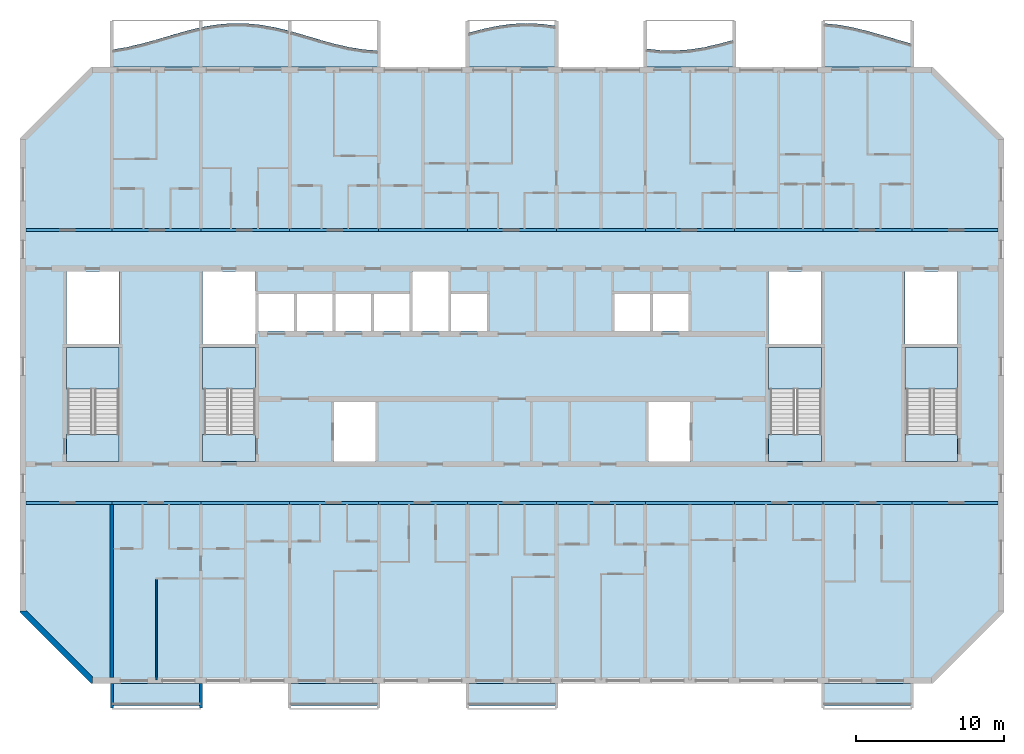
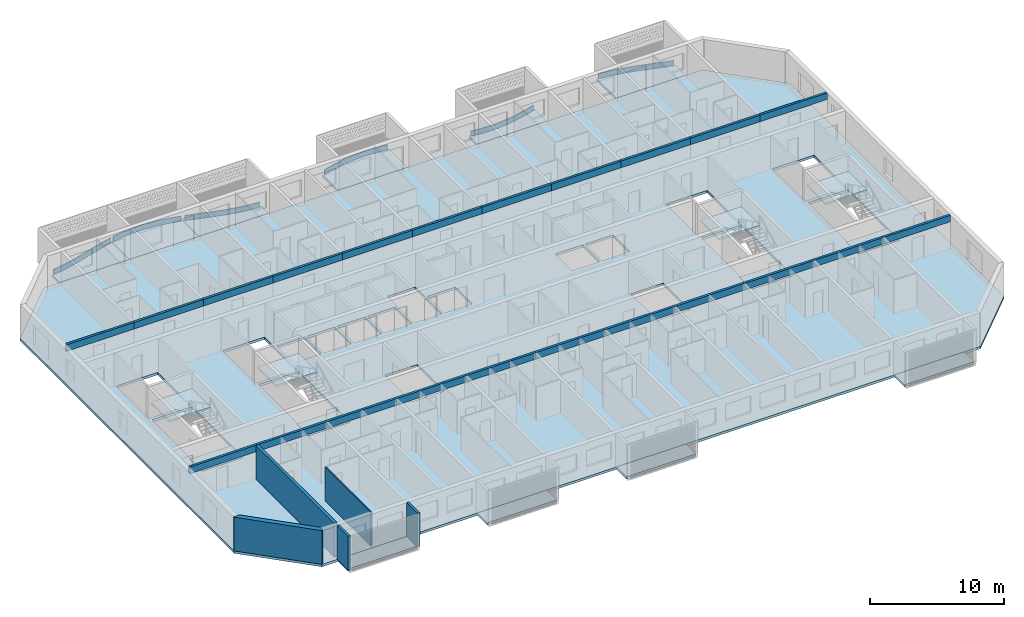
# One storey, part 1 of 27: 22 beams, 19 slabs, 6 plates, 5 walls, 4 elements without a shape of their own.
"""IFC4 building model written with IfcOpenShell, lengths in metres."""

from ifc_helpers import new_model, si_unit, direction, frame, frame_2d, origin, origin_2d, place, context, subcontext, project, spatial, polyline, rectangle, outline, extrude, source, transform, mapped, material, layer, layer_set, material_profile, profile_set, type_object, element, aggregate, save


model = new_model("IFC4")

# Units and contexts
model_context = context("Model", 3, precision=1e-05, world=origin(), true_north=direction((0.0, 1.0)))
body_context = subcontext(model_context, "Body", "Model", "MODEL_VIEW")
ifc_project = project(units=[si_unit("LENGTHUNIT", "METRE"), si_unit("AREAUNIT", "SQUARE_METRE"), si_unit("VOLUMEUNIT", "CUBIC_METRE"), si_unit("PLANEANGLEUNIT", "RADIAN"), si_unit("MASSUNIT", "GRAM", prefix="KILO")], contexts=[model_context])

# Site, building, storey
site_placement = place(None, origin())
site = spatial("IfcSite", under=ifc_project, at=site_placement, CompositionType="ELEMENT")
building_placement = place(site_placement, origin())
building = spatial("IfcBuilding", under=site, at=building_placement, Name="Poui Terraces", CompositionType="ELEMENT")
storey_placement = place(building_placement, frame((0.0, 0.0, 201.60009765625)))
storey = spatial("IfcBuildingStorey", under=building, at=storey_placement, Name="L56", CompositionType="ELEMENT", Elevation=201.60009765625)

# Beams
ifc_material_1 = material(Name="Concrete 50 MPa", Category="concrete")
ifc_material_profile = material_profile(ifc_material_1, rectangle(XDim=0.199951171875, YDim=0.60009765625, at=origin_2d()), Name="RC 200x600")
ifc_profile_set = profile_set([ifc_material_profile], Name="Concrete 50 MPa")
beam_type = type_object("IfcBeamType", Name="COUPLING BEAM 200x600 50MPa", PredefinedType="BEAM", material=ifc_profile_set)
shared_shape_1 = source(origin(), body_context, "Body", "SweptSolid", [
    extrude(rectangle(XDim=0.199951171875, YDim=0.60009765625, at=origin_2d()), origin(), (0.0, 0.0, 1.0), 5.800048828125),
])
for number, where, z_axis, x_axis, name in (
    (1, (18.199951171875, 12.0, 2.77978515625), (1.0, 0.0, 0.0), (0.0, 1.0, 0.0), "COUPLING BEAM LINE B BAY 1"),
    (2, (78.0, 12.0, 2.77978515625), (1.0, 0.0, 0.0), (0.0, 1.0, 0.0), "COUPLING BEAM LINE B BAY 11"),
    (3, (18.199951171875, 30.39990234375, 2.77978515625), (1.0, 0.0, 0.0), (0.0, 1.0, 0.0), "COUPLING BEAM LINE E BAY 1"),
    (4, (78.0, 30.39990234375, 2.77978515625), (1.0, 0.0, 0.0), (0.0, 1.0, 0.0), "COUPLING BEAM LINE E BAY 11"),
):
    element("IfcBeam", number, at=place(storey_placement, frame(where, z_axis=z_axis, x_axis=x_axis)), inside=storey, type_object=beam_type, Name=name, PredefinedType="BEAM", context=body_context, shape_type="MappedRepresentation", body=[
        mapped(shared_shape_1, transform((0.0, 0.0, 0.0))),
    ])
shared_shape_2 = source(origin(), body_context, "Body", "SweptSolid", [
    extrude(rectangle(XDim=0.199951171875, YDim=0.60009765625, at=origin_2d()), origin(), (0.0, 0.0, 1.0), 6.0),
])
for number, where, z_axis, x_axis, name in (
    (5, (24.0, 12.0, 2.77978515625), (1.0, 0.0, 0.0), (0.0, 1.0, 0.0), "COUPLING BEAM LINE B BAY 2"),
    (6, (30.0, 12.0, 2.77978515625), (1.0, 0.0, 0.0), (0.0, 1.0, 0.0), "COUPLING BEAM LINE B BAY 3"),
    (7, (36.0, 12.0, 2.77978515625), (1.0, 0.0, 0.0), (0.0, 1.0, 0.0), "COUPLING BEAM LINE B BAY 4"),
    (8, (42.0, 12.0, 2.77978515625), (1.0, 0.0, 0.0), (0.0, 1.0, 0.0), "COUPLING BEAM LINE B BAY 5"),
    (9, (48.0, 12.0, 2.77978515625), (1.0, 0.0, 0.0), (0.0, 1.0, 0.0), "COUPLING BEAM LINE B BAY 6"),
    (10, (54.0, 12.0, 2.77978515625), (1.0, 0.0, 0.0), (0.0, 1.0, 0.0), "COUPLING BEAM LINE B BAY 7"),
    (11, (60.0, 12.0, 2.77978515625), (1.0, 0.0, 0.0), (0.0, 1.0, 0.0), "COUPLING BEAM LINE B BAY 8"),
    (12, (66.0, 12.0, 2.77978515625), (1.0, 0.0, 0.0), (0.0, 1.0, 0.0), "COUPLING BEAM LINE B BAY 9"),
    (13, (72.0, 12.0, 2.77978515625), (1.0, 0.0, 0.0), (0.0, 1.0, 0.0), "COUPLING BEAM LINE B BAY 10"),
    (14, (24.0, 30.39990234375, 2.77978515625), (1.0, 0.0, 0.0), (0.0, 1.0, 0.0), "COUPLING BEAM LINE E BAY 2"),
    (15, (30.0, 30.39990234375, 2.77978515625), (1.0, 0.0, 0.0), (0.0, 1.0, 0.0), "COUPLING BEAM LINE E BAY 3"),
    (16, (36.0, 30.39990234375, 2.77978515625), (1.0, 0.0, 0.0), (0.0, 1.0, 0.0), "COUPLING BEAM LINE E BAY 4"),
    (17, (42.0, 30.39990234375, 2.77978515625), (1.0, 0.0, 0.0), (0.0, 1.0, 0.0), "COUPLING BEAM LINE E BAY 5"),
    (18, (48.0, 30.39990234375, 2.77978515625), (1.0, 0.0, 0.0), (0.0, 1.0, 0.0), "COUPLING BEAM LINE E BAY 6"),
    (19, (54.0, 30.39990234375, 2.77978515625), (1.0, 0.0, 0.0), (0.0, 1.0, 0.0), "COUPLING BEAM LINE E BAY 7"),
    (20, (60.0, 30.39990234375, 2.77978515625), (1.0, 0.0, 0.0), (0.0, 1.0, 0.0), "COUPLING BEAM LINE E BAY 8"),
    (21, (66.0, 30.39990234375, 2.77978515625), (1.0, 0.0, 0.0), (0.0, 1.0, 0.0), "COUPLING BEAM LINE E BAY 9"),
    (22, (72.0, 30.39990234375, 2.77978515625), (1.0, 0.0, 0.0), (0.0, 1.0, 0.0), "COUPLING BEAM LINE E BAY 10"),
):
    element("IfcBeam", number, at=place(storey_placement, frame(where, z_axis=z_axis, x_axis=x_axis)), inside=storey, type_object=beam_type, Name=name, PredefinedType="BEAM", context=body_context, shape_type="MappedRepresentation", body=[
        mapped(shared_shape_2, transform((0.0, 0.0, 0.0))),
    ])

# Slabs
ifc_material_2 = material(Name="Precast concrete 40 MPa", Category="concrete")
ifc_layer_1 = layer(ifc_material_2, 0.199951171875)
ifc_layer_set_1 = layer_set([ifc_layer_1], Name="Precast concrete 40 MPa")
slab_type_1 = type_object("IfcSlabType", Name="BALCONY SLAB 200", PredefinedType="FLOOR", material=ifc_layer_set_1)
slab_1_placement = place(storey_placement, frame((0.0, 0.0, -0.2001953125)))
element("IfcSlab", 23, at=slab_1_placement, inside=storey, type_object=slab_type_1, Name="BALCONY SLAB", PredefinedType="FLOOR", context=body_context, shape_type="SweptSolid", body=[
    extrude(outline(polyline([(24.0, 41.39990234375), (30.0, 41.39990234375), (30.0, 44.06591796875), (29.0, 43.821533203125), (28.0, 43.53662109375), (27.0, 43.239990234375), (26.0, 42.96240234375), (25.0, 42.732666015625), (24.0, 42.573974609375), (24.0, 41.39990234375)])), origin(), (0.0, 0.0, 1.0), 0.2001953125),
])
slab_2_placement = place(storey_placement, frame((0.0, 0.0, -0.2001953125)))
element("IfcSlab", 24, at=slab_2_placement, inside=storey, type_object=slab_type_1, Name="BALCONY SLAB", PredefinedType="FLOOR", context=body_context, shape_type="SweptSolid", body=[
    extrude(outline(polyline([(30.0, 41.39990234375), (36.0, 41.39990234375), (36.0, 43.821533203125), (35.0, 44.06591796875), (34.0, 44.243896484375), (33.0, 44.337890625), (32.0, 44.337890625), (31.0, 44.243896484375), (30.0, 44.06591796875), (30.0, 41.39990234375)])), origin(), (0.0, 0.0, 1.0), 0.2001953125),
])
slab_3_placement = place(storey_placement, frame((0.0, 0.0, -0.2001953125)))
element("IfcSlab", 25, at=slab_3_placement, inside=storey, type_object=slab_type_1, Name="BALCONY SLAB", PredefinedType="FLOOR", context=body_context, shape_type="SweptSolid", body=[
    extrude(outline(polyline([(36.0, 41.39990234375), (42.0, 41.39990234375), (42.0, 42.5029296875), (41.0, 42.573974609375), (40.0, 42.732666015625), (39.0, 42.96240234375), (38.0, 43.239990234375), (37.0, 43.53662109375), (36.0, 43.821533203125), (36.0, 41.39990234375)])), origin(), (0.0, 0.0, 1.0), 0.2001953125),
])
slab_4_placement = place(storey_placement, frame((0.0, 0.0, -0.2001953125)))
element("IfcSlab", 26, at=slab_4_placement, inside=storey, type_object=slab_type_1, Name="BALCONY SLAB", PredefinedType="FLOOR", context=body_context, shape_type="SweptSolid", body=[
    extrude(outline(polyline([(48.0, 41.39990234375), (54.0, 41.39990234375), (54.0, 44.16455078125), (53.0, 44.302490234375), (52.0, 44.35009765625), (51.0, 44.302490234375), (50.0, 44.16455078125), (49.0, 43.950439453125), (48.0, 43.682373046875), (48.0, 41.39990234375)])), origin(), (0.0, 0.0, 1.0), 0.2001953125),
])
slab_5_placement = place(storey_placement, frame((0.0, 0.0, -0.2001953125)))
element("IfcSlab", 27, at=slab_5_placement, inside=storey, type_object=slab_type_1, Name="BALCONY SLAB", PredefinedType="FLOOR", context=body_context, shape_type="SweptSolid", body=[
    extrude(outline(polyline([(60.0, 41.39990234375), (66.0, 41.39990234375), (66.0, 43.239990234375), (65.0, 42.96240234375), (64.0, 42.732666015625), (63.0, 42.573974609375), (62.0, 42.5029296875), (61.0, 42.52685546875), (60.0, 42.643310546875), (60.0, 41.39990234375)])), origin(), (0.0, 0.0, 1.0), 0.2001953125),
])
slab_6_placement = place(storey_placement, frame((0.0, 0.0, -0.2001953125)))
element("IfcSlab", 28, at=slab_6_placement, inside=storey, type_object=slab_type_1, Name="BALCONY SLAB", PredefinedType="FLOOR", context=body_context, shape_type="SweptSolid", body=[
    extrude(outline(polyline([(72.0, 41.39990234375), (78.0, 41.39990234375), (78.0, 42.96240234375), (77.0, 43.239990234375), (76.0, 43.53662109375), (75.0, 43.821533203125), (74.0, 44.06591796875), (73.0, 44.243896484375), (72.0, 44.337890625), (72.0, 41.39990234375)])), origin(), (0.0, 0.0, 1.0), 0.2001953125),
])

# Stair, slabs
stair_type = type_object("IfcStairType", Name="EXIT STAIR 1650 50 MPA", PredefinedType="HALF_TURN_STAIR", material=ifc_material_1)
stair_1_placement = place(storey_placement, origin())
stair_1 = element("IfcStair", 29, at=stair_1_placement, inside=storey, type_object=stair_type, Name="L56 CORE STAIR EAST", PredefinedType="HALF_TURN_STAIR")
ifc_layer_2 = layer(ifc_material_1, 0.199951171875)
ifc_layer_set_2 = layer_set([ifc_layer_2], Name="Concrete 50 MPa")
slab_type_2 = type_object("IfcSlabType", Name="STAIR LANDING 200 50 MPA", PredefinedType="LANDING", material=ifc_layer_set_2)
slab_7_placement = place(storey_placement, frame((0.0, 0.0, 1.44970703125)))
slab_7 = element("IfcSlab", 30, at=slab_7_placement, type_object=slab_type_2, Name="ST-CE landing 1", PredefinedType="LANDING", context=body_context, shape_type="SweptSolid", body=[
    extrude(outline(polyline([(68.324951171875, 19.679931640625), (71.875, 19.679931640625), (71.875, 22.47509765625), (68.324951171875, 22.47509765625), (68.324951171875, 19.679931640625)])), origin(), (0.0, 0.0, 1.0), 0.2001953125),
])
slab_8_placement = place(storey_placement, frame((0.0, 0.0, -0.2001953125)))
slab_8 = element("IfcSlab", 31, at=slab_8_placement, type_object=slab_type_2, Name="ST-CE landing 2", PredefinedType="LANDING", context=body_context, shape_type="SweptSolid", body=[
    extrude(outline(polyline([(68.324951171875, 14.800048828125), (71.875, 14.800048828125), (71.875, 16.60009765625), (68.324951171875, 16.60009765625), (68.324951171875, 14.800048828125)])), origin(), (0.0, 0.0, 1.0), 0.2001953125),
])
aggregate(stair_1, [slab_7, slab_8])

stair_2_placement = place(storey_placement, origin())
stair_2 = element("IfcStair", 32, at=stair_2_placement, inside=storey, type_object=stair_type, Name="L56 CORE STAIR WEST", PredefinedType="HALF_TURN_STAIR")
slab_9_placement = place(storey_placement, frame((0.0, 0.0, 1.44970703125)))
slab_9 = element("IfcSlab", 33, at=slab_9_placement, type_object=slab_type_2, Name="ST-CW landing 1", PredefinedType="LANDING", context=body_context, shape_type="SweptSolid", body=[
    extrude(outline(polyline([(30.125, 19.679931640625), (33.675048828125, 19.679931640625), (33.675048828125, 22.47509765625), (30.125, 22.47509765625), (30.125, 19.679931640625)])), origin(), (0.0, 0.0, 1.0), 0.2001953125),
])
slab_10_placement = place(storey_placement, frame((0.0, 0.0, -0.2001953125)))
slab_10 = element("IfcSlab", 34, at=slab_10_placement, type_object=slab_type_2, Name="ST-CW landing 2", PredefinedType="LANDING", context=body_context, shape_type="SweptSolid", body=[
    extrude(outline(polyline([(30.125, 14.800048828125), (33.675048828125, 14.800048828125), (33.675048828125, 16.60009765625), (30.125, 16.60009765625), (30.125, 14.800048828125)])), origin(), (0.0, 0.0, 1.0), 0.2001953125),
])
aggregate(stair_2, [slab_9, slab_10])

stair_3_placement = place(storey_placement, origin())
stair_3 = element("IfcStair", 35, at=stair_3_placement, inside=storey, type_object=stair_type, Name="L56 TIP STAIR EAST", PredefinedType="HALF_TURN_STAIR")
slab_11_placement = place(storey_placement, frame((0.0, 0.0, 1.44970703125)))
slab_11 = element("IfcSlab", 36, at=slab_11_placement, type_object=slab_type_2, Name="ST-E landing 1", PredefinedType="LANDING", context=body_context, shape_type="SweptSolid", body=[
    extrude(outline(polyline([(77.52490234375, 19.679931640625), (81.074951171875, 19.679931640625), (81.074951171875, 22.47509765625), (77.52490234375, 22.47509765625), (77.52490234375, 19.679931640625)])), origin(), (0.0, 0.0, 1.0), 0.2001953125),
])
slab_12_placement = place(storey_placement, frame((0.0, 0.0, -0.2001953125)))
slab_12 = element("IfcSlab", 37, at=slab_12_placement, type_object=slab_type_2, Name="ST-E landing 2", PredefinedType="LANDING", context=body_context, shape_type="SweptSolid", body=[
    extrude(outline(polyline([(77.52490234375, 14.800048828125), (81.074951171875, 14.800048828125), (81.074951171875, 16.60009765625), (77.52490234375, 16.60009765625), (77.52490234375, 14.800048828125)])), origin(), (0.0, 0.0, 1.0), 0.2001953125),
])
aggregate(stair_3, [slab_11, slab_12])

stair_4_placement = place(storey_placement, origin())
stair_4 = element("IfcStair", 38, at=stair_4_placement, inside=storey, type_object=stair_type, Name="L56 TIP STAIR WEST", PredefinedType="HALF_TURN_STAIR")
slab_13_placement = place(storey_placement, frame((0.0, 0.0, 1.44970703125)))
slab_13 = element("IfcSlab", 39, at=slab_13_placement, type_object=slab_type_2, Name="ST-W landing 1", PredefinedType="LANDING", context=body_context, shape_type="SweptSolid", body=[
    extrude(outline(polyline([(20.925048828125, 19.679931640625), (24.47509765625, 19.679931640625), (24.47509765625, 22.47509765625), (20.925048828125, 22.47509765625), (20.925048828125, 19.679931640625)])), origin(), (0.0, 0.0, 1.0), 0.2001953125),
])
slab_14_placement = place(storey_placement, frame((0.0, 0.0, -0.2001953125)))
slab_14 = element("IfcSlab", 40, at=slab_14_placement, type_object=slab_type_2, Name="ST-W landing 2", PredefinedType="LANDING", context=body_context, shape_type="SweptSolid", body=[
    extrude(outline(polyline([(20.925048828125, 14.800048828125), (24.47509765625, 14.800048828125), (24.47509765625, 16.60009765625), (20.925048828125, 16.60009765625), (20.925048828125, 14.800048828125)])), origin(), (0.0, 0.0, 1.0), 0.2001953125),
])
aggregate(stair_4, [slab_13, slab_14])

# Plates
ifc_layer_3 = layer(ifc_material_2, 0.080078125)
ifc_layer_set_3 = layer_set([ifc_layer_3], Name="Precast concrete 40 MPa")
plate_type = type_object("IfcPlateType", Name="SUNSHADE UPSTAND 80", PredefinedType="SHEET", material=ifc_layer_set_3)
plate_1_placement = place(storey_placement, origin())
element("IfcPlate", 41, at=plate_1_placement, inside=storey, type_object=plate_type, Name="SUNSHADE UPSTAND", PredefinedType="SHEET", context=body_context, shape_type="SweptSolid", body=[
    extrude(outline(polyline([(24.9921875, 42.726806640625), (24.118408203125, 42.583740234375), (24.131591796875, 42.5048828125), (25.0078125, 42.6484375), (26.009765625, 42.878662109375), (27.010986328125, 43.156494140625), (28.01123046875, 43.453125), (29.01025390625, 43.73779296875), (29.884521484375, 43.95458984375), (29.865478515625, 44.0322265625), (28.98974609375, 43.815185546875), (27.98876953125, 43.52978515625), (26.989013671875, 43.2333984375), (25.990234375, 42.956298828125), (24.9921875, 42.726806640625)])), origin(), (0.0, 0.0, 1.0), 0.449951171875),
])
plate_2_placement = place(storey_placement, origin())
element("IfcPlate", 42, at=plate_2_placement, inside=storey, type_object=plate_type, Name="SUNSHADE UPSTAND", PredefinedType="SHEET", context=body_context, shape_type="SweptSolid", body=[
    extrude(outline(polyline([(30.99462890625, 44.23876953125), (30.1181640625, 44.08642578125), (30.1318359375, 44.0078125), (31.00537109375, 44.159423828125), (32.001953125, 44.2529296875), (32.998046875, 44.2529296875), (33.99462890625, 44.159423828125), (34.99169921875, 43.981689453125), (35.865478515625, 43.77099609375), (35.884521484375, 43.848876953125), (35.00830078125, 44.059814453125), (34.00537109375, 44.23876953125), (33.001953125, 44.3330078125), (31.998046875, 44.3330078125), (30.99462890625, 44.23876953125)])), origin(), (0.0, 0.0, 1.0), 0.449951171875),
])
plate_3_placement = place(storey_placement, origin())
element("IfcPlate", 43, at=plate_3_placement, inside=storey, type_object=plate_type, Name="SUNSHADE UPSTAND", PredefinedType="SHEET", context=body_context, shape_type="SweptSolid", body=[
    extrude(outline(polyline([(37.01123046875, 43.52978515625), (36.135986328125, 43.781005859375), (36.114013671875, 43.7041015625), (36.98876953125, 43.453125), (37.989013671875, 43.156494140625), (38.990234375, 42.878662109375), (39.992431640625, 42.648193359375), (40.995361328125, 42.4892578125), (41.871826171875, 42.421875), (41.878173828125, 42.501708984375), (41.004638671875, 42.56884765625), (40.007568359375, 42.726806640625), (39.009765625, 42.956298828125), (38.010986328125, 43.2333984375), (37.01123046875, 43.52978515625)])), origin(), (0.0, 0.0, 1.0), 0.449951171875),
])
plate_4_placement = place(storey_placement, origin())
element("IfcPlate", 44, at=plate_4_placement, inside=storey, type_object=plate_type, Name="SUNSHADE UPSTAND", PredefinedType="SHEET", context=body_context, shape_type="SweptSolid", body=[
    extrude(outline(polyline([(48.99072265625, 43.9443359375), (48.11474609375, 43.711669921875), (48.13525390625, 43.63427734375), (49.00927734375, 43.86669921875), (50.0068359375, 44.080078125), (51.003662109375, 44.217529296875), (52.0, 44.264892578125), (52.996337890625, 44.217529296875), (53.86962890625, 44.1015625), (53.88037109375, 44.180908203125), (53.003662109375, 44.29736328125), (52.0, 44.344970703125), (50.996337890625, 44.29736328125), (49.9931640625, 44.158935546875), (48.99072265625, 43.9443359375)])), origin(), (0.0, 0.0, 1.0), 0.449951171875),
])
plate_5_placement = place(storey_placement, origin())
element("IfcPlate", 45, at=plate_5_placement, inside=storey, type_object=plate_type, Name="SUNSHADE UPSTAND", PredefinedType="SHEET", context=body_context, shape_type="SweptSolid", body=[
    extrude(outline(polyline([(61.002685546875, 42.521728515625), (60.12939453125, 42.61865234375), (60.12060546875, 42.539306640625), (60.997314453125, 42.44189453125), (62.0009765625, 42.41796875), (63.004638671875, 42.4892578125), (64.007568359375, 42.648193359375), (65.009765625, 42.878662109375), (65.885498046875, 43.1201171875), (65.864501953125, 43.197265625), (64.990234375, 42.956298828125), (63.992431640625, 42.726806640625), (62.995361328125, 42.56884765625), (61.9990234375, 42.498046875), (61.002685546875, 42.521728515625)])), origin(), (0.0, 0.0, 1.0), 0.449951171875),
])
plate_6_placement = place(storey_placement, origin())
element("IfcPlate", 46, at=plate_6_placement, inside=storey, type_object=plate_type, Name="SUNSHADE UPSTAND", PredefinedType="SHEET", context=body_context, shape_type="SweptSolid", body=[
    extrude(outline(polyline([(73.005615234375, 44.23876953125), (72.1650390625, 44.322509765625), (72.12890625, 44.325927734375), (72.12109375, 44.24658203125), (72.994384765625, 44.159423828125), (73.99169921875, 43.981689453125), (74.98974609375, 43.73779296875), (75.98876953125, 43.453125), (76.989013671875, 43.156494140625), (77.8642578125, 42.91162109375), (77.8857421875, 42.98876953125), (77.010986328125, 43.2333984375), (76.01123046875, 43.52978515625), (75.01025390625, 43.815185546875), (74.00830078125, 44.059814453125), (73.005615234375, 44.23876953125)])), origin(), (0.0, 0.0, 1.0), 0.449951171875),
])

# Slabs
ifc_material_3 = material(Name="Concrete 40 MPa", Category="concrete")
ifc_layer_4 = layer(ifc_material_3, 0.219970703125)
ifc_layer_set_4 = layer_set([ifc_layer_4], Name="Concrete 40 MPa")
slab_type_3 = type_object("IfcSlabType", Name="FLOOR SLAB 220", PredefinedType="FLOOR", material=ifc_layer_set_4)
shared_shape_3 = source(origin(), body_context, "Body", "SweptSolid", [
    extrude(outline(polyline([(0.0, 0.0), (4.800048828125, -4.800048828125), (61.599853515625, -4.800048828125), (66.39990234375, 0.0), (66.39990234375, 32.0), (61.599853515625, 36.7998046875), (4.800048828125, 36.7998046875), (0.0, 32.0), (0.0, 0.0)]), holes=[polyline([(21.199951171875, 10.199951171875), (21.199951171875, 14.199951171875), (24.0, 14.199951171875), (24.0, 10.199951171875), (21.199951171875, 10.199951171875)]), polyline([(3.224853515625, 17.849853515625), (6.675048828125, 17.849853515625), (6.675048828125, 12.0), (6.675048828125, 10.199951171875), (3.125, 10.199951171875), (3.125, 12.0), (3.224853515625, 12.0), (3.224853515625, 17.849853515625)]), polyline([(12.425048828125, 17.849853515625), (15.875, 17.849853515625), (15.875, 12.0), (15.875, 10.199951171875), (12.324951171875, 10.199951171875), (12.324951171875, 12.0), (12.425048828125, 12.0), (12.425048828125, 17.849853515625)]), polyline([(16.099853515625, 19.0), (16.099853515625, 21.5), (18.5, 21.5), (18.5, 19.0), (16.099853515625, 19.0)]), polyline([(18.699951171875, 19.0), (18.699951171875, 21.5), (21.099853515625, 21.5), (21.099853515625, 19.0), (18.699951171875, 19.0)]), polyline([(21.300048828125, 19.0), (21.300048828125, 21.5), (23.699951171875, 21.5), (23.699951171875, 19.0), (21.300048828125, 19.0)]), polyline([(23.89990234375, 19.0), (23.89990234375, 21.5), (26.300048828125, 21.5), (26.300048828125, 19.0), (23.89990234375, 19.0)]), polyline([(3.125, 23.0), (6.675048828125, 23.0), (6.675048828125, 18.125), (3.125, 18.125), (3.125, 23.0)]), polyline([(12.324951171875, 23.0), (15.875, 23.0), (15.875, 18.125), (12.324951171875, 18.125), (12.324951171875, 23.0)]), polyline([(42.39990234375, 10.199951171875), (42.39990234375, 14.199951171875), (45.199951171875, 14.199951171875), (45.199951171875, 10.199951171875), (42.39990234375, 10.199951171875)]), polyline([(50.625, 17.849853515625), (54.074951171875, 17.849853515625), (54.074951171875, 12.0), (54.074951171875, 10.199951171875), (50.52490234375, 10.199951171875), (50.52490234375, 12.0), (50.625, 12.0), (50.625, 17.849853515625)]), polyline([(59.824951171875, 17.849853515625), (63.27490234375, 17.849853515625), (63.27490234375, 12.0), (63.27490234375, 10.199951171875), (59.724853515625, 10.199951171875), (59.724853515625, 12.0), (59.824951171875, 12.0), (59.824951171875, 17.849853515625)]), polyline([(29.099853515625, 19.0), (29.099853515625, 21.5), (31.5, 21.5), (31.5, 19.0), (29.099853515625, 19.0)]), polyline([(40.099853515625, 19.0), (40.099853515625, 21.5), (42.5, 21.5), (42.5, 19.0), (40.099853515625, 19.0)]), polyline([(42.699951171875, 19.0), (42.699951171875, 21.5), (45.099853515625, 21.5), (45.099853515625, 19.0), (42.699951171875, 19.0)]), polyline([(50.52490234375, 18.125), (50.52490234375, 23.0), (54.074951171875, 23.0), (54.074951171875, 18.125), (50.52490234375, 18.125)]), polyline([(59.724853515625, 23.0), (63.27490234375, 23.0), (63.27490234375, 18.125), (59.724853515625, 18.125), (59.724853515625, 23.0)]), polyline([(26.5, 23.0), (28.89990234375, 23.0), (28.89990234375, 19.0), (26.5, 19.0), (26.5, 23.0)])]), origin(), (0.0, 0.0, 1.0), 0.22021484375),
])
slab_15_placement = place(storey_placement, frame((17.800048828125, 4.60009765625, -0.22021484375)))
element("IfcSlab", 47, at=slab_15_placement, inside=storey, type_object=slab_type_3, Name="FLOOR SLAB", PredefinedType="FLOOR", context=body_context, shape_type="MappedRepresentation", body=[
    mapped(shared_shape_3, transform((0.0, 0.0, 0.0))),
])
ifc_layer_5 = layer(ifc_material_2, 0.199951171875)
ifc_layer_set_5 = layer_set([ifc_layer_5], Name="Precast concrete 40 MPa")
slab_type_4 = type_object("IfcSlabType", Name="REAR BALCONY SLAB 200", PredefinedType="FLOOR", material=ifc_layer_set_5)
shared_shape_4 = source(origin(), body_context, "Body", "SweptSolid", [
    extrude(outline(polyline([(0.0, 0.0), (6.0, 0.0), (6.0, 1.5), (0.0, 1.5), (0.0, 0.0)])), origin(), (0.0, 0.0, 1.0), 0.2001953125),
])
for number, where, name in (
    (48, (24.0, -1.699951171875, -0.2001953125), "REAR BALCONY SLAB"),
    (49, (36.0, -1.699951171875, -0.2001953125), "REAR BALCONY SLAB"),
    (50, (48.0, -1.699951171875, -0.2001953125), "REAR BALCONY SLAB"),
    (51, (72.0, -1.699951171875, -0.2001953125), "REAR BALCONY SLAB"),
):
    element("IfcSlab", number, at=place(storey_placement, frame(where)), inside=storey, type_object=slab_type_4, Name=name, PredefinedType="FLOOR", context=body_context, shape_type="MappedRepresentation", body=[
        mapped(shared_shape_4, transform((0.0, 0.0, 0.0))),
    ])

# Walls
ifc_layer_6 = layer(ifc_material_1, 0.25)
ifc_layer_set_6 = layer_set([ifc_layer_6], Name="Concrete 50 MPa")
wall_type_1 = type_object("IfcWallType", Name="CROSS WALL 250 50MPa", PredefinedType="SHEAR", material=ifc_layer_set_6)
wall_1_placement = place(storey_placement, frame((24.0, 0.199951171875, 0.0), z_axis=(0.0, 0.0, 1.0), x_axis=(0.0, 1.0, 0.0)))
element("IfcWall", 52, at=wall_1_placement, inside=storey, type_object=wall_type_1, Name="CROSS WALL LINE 5 SOUTH", PredefinedType="SHEAR", context=body_context, shape_type="SweptSolid", body=[
    extrude(rectangle(XDim=11.699951171875, YDim=0.25, at=frame_2d((5.85009765625, 0.0))), origin(), (0.0, 0.0, 1.0), 3.079833984375),
])
ifc_material_4 = material(Name="Plasterboard partition")
ifc_layer_7 = layer(ifc_material_4, 0.10009765625)
ifc_layer_set_7 = layer_set([ifc_layer_7], Name="Plasterboard partition")
wall_type_2 = type_object("IfcWallType", Name="FLAT PARTITION 100", PredefinedType="PARTITIONING", material=ifc_layer_set_7)
wall_2_placement = place(storey_placement, frame((27.0, 0.06005859375, 0.0), z_axis=(0.0, 0.0, 1.0), x_axis=(0.0, 1.0, 0.0)))
element("IfcWall", 53, at=wall_2_placement, inside=storey, type_object=wall_type_2, Name="FLAT PARTITION 100", PredefinedType="PARTITIONING", context=body_context, shape_type="SweptSolid", body=[
    extrude(rectangle(XDim=6.7900390625, YDim=0.10009765625, at=frame_2d((3.39501953125, 0.0))), origin(), (0.0, 0.0, 1.0), 3.079833984375),
])
ifc_layer_8 = layer(ifc_material_2, 0.39990234375)
ifc_layer_set_8 = layer_set([ifc_layer_8], Name="Precast concrete 40 MPa")
wall_type_3 = type_object("IfcWallType", Name="TERRACOTTA CLAD CHAMFER WALL 400", PredefinedType="STANDARD", material=ifc_layer_set_8)
wall_3_placement = place(storey_placement, origin())
element("IfcWall", 54, at=wall_3_placement, inside=storey, type_object=wall_type_3, Name="CHAMFER WALL CH07", PredefinedType="STANDARD", context=body_context, shape_type="SweptSolid", body=[
    extrude(outline(polyline([(17.800048828125, 4.682861328125), (17.800048828125, 4.60009765625), (22.60009765625, -0.199951171875), (22.682861328125, -0.199951171875), (22.682861328125, 0.28271484375), (18.28271484375, 4.682861328125), (17.800048828125, 4.682861328125)])), origin(), (0.0, 0.0, 1.0), 3.079833984375),
])
ifc_layer_9 = layer(ifc_material_2, 0.199951171875)
ifc_layer_set_9 = layer_set([ifc_layer_9], Name="Precast concrete 40 MPa")
wall_type_4 = type_object("IfcWallType", Name="REAR FIN 200", PredefinedType="STANDARD", material=ifc_layer_set_9)
shared_shape_5 = source(origin(), body_context, "Body", "SweptSolid", [
    extrude(outline(polyline([(0.0, 0.0), (0.2001953125, 0.0), (0.2001953125, 1.650146484375), (0.0, 1.650146484375), (0.0, 0.0)])), origin(), (0.0, 0.0, 1.0), 3.099853515625),
])
for number, where, name in (
    (55, (23.89990234375, -1.85009765625, 0.0), "REAR FIN"),
    (56, (29.89990234375, -1.85009765625, 0.0), "REAR FIN"),
):
    element("IfcWall", number, at=place(storey_placement, frame(where)), inside=storey, type_object=wall_type_4, Name=name, PredefinedType="STANDARD", context=body_context, shape_type="MappedRepresentation", body=[
        mapped(shared_shape_5, transform((0.0, 0.0, 0.0))),
    ])

save(model, "model.ifc")
